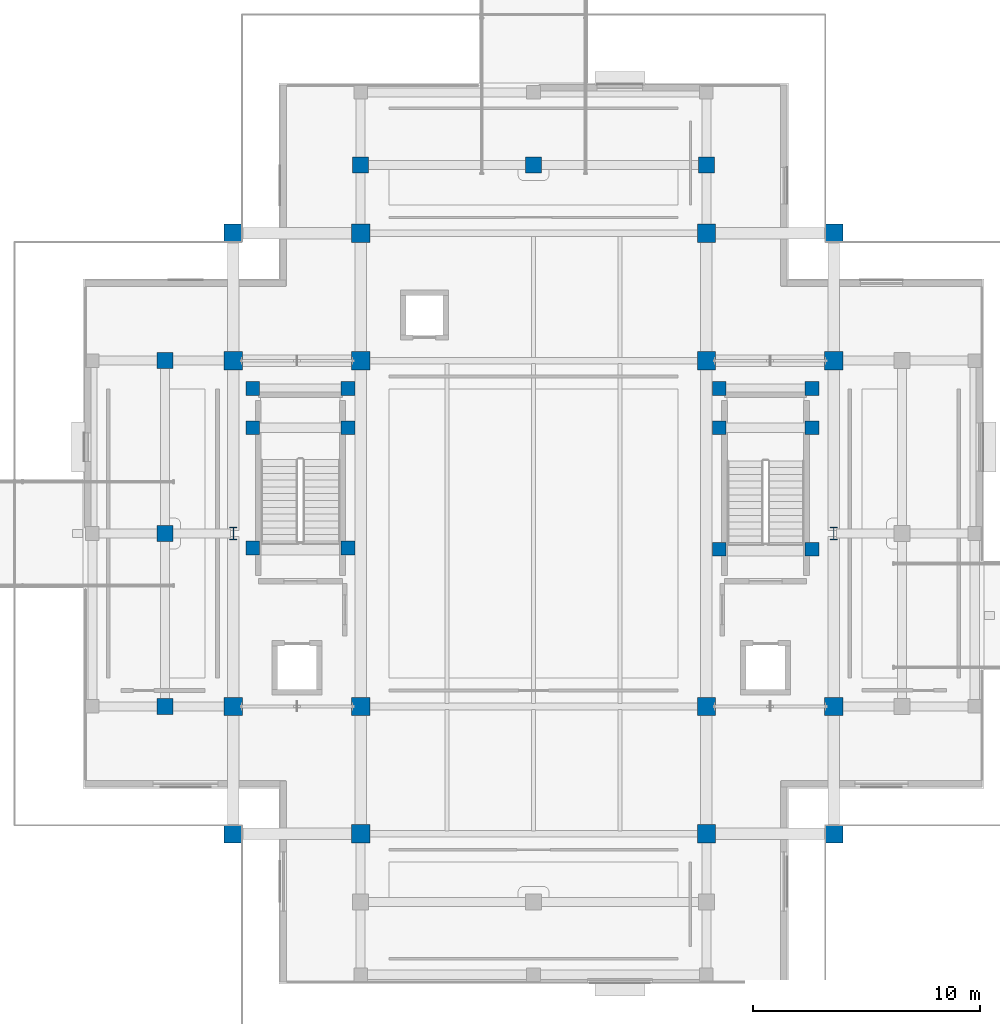
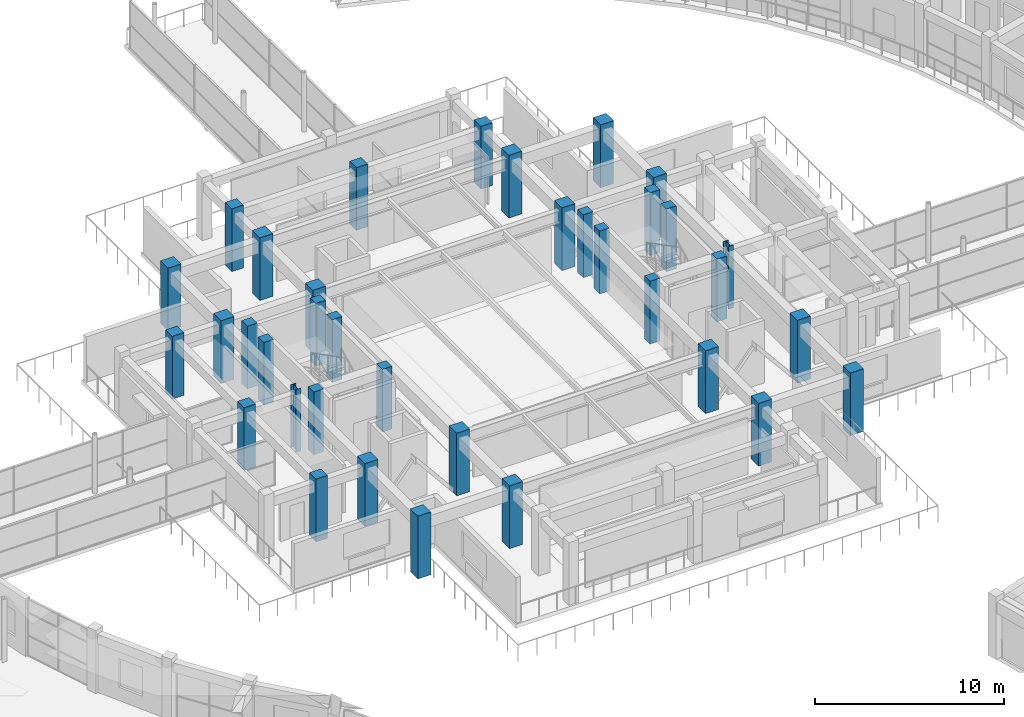
# One storey, part 4 of 72: 36 columns.
"""IFC4 building model written with IfcOpenShell, lengths in metres."""

from ifc_helpers import new_model, si_unit, direction, frame, origin, origin_2d, place, context, subcontext, project, spatial, rectangle, i_section, extrude, material, material_profile, profile_set, type_object, element, save


model = new_model("IFC4")

# Units and contexts
model_context = context("Model", 3, precision=1e-05, world=origin(), true_north=direction((0.0, 1.0)))
body_context = subcontext(model_context, "Body", "Model", "MODEL_VIEW")
ifc_project = project(units=[si_unit("LENGTHUNIT", "METRE"), si_unit("AREAUNIT", "SQUARE_METRE"), si_unit("VOLUMEUNIT", "CUBIC_METRE"), si_unit("PLANEANGLEUNIT", "RADIAN"), si_unit("MASSUNIT", "GRAM", prefix="KILO")], contexts=[model_context])

# Site, building, storey
site_placement = place(None, origin())
site = spatial("IfcSite", under=ifc_project, at=site_placement, CompositionType="ELEMENT")
building_placement = place(site_placement, origin())
building = spatial("IfcBuilding", under=site, at=building_placement, Name="Saryqyr Civic Hall", CompositionType="ELEMENT")
storey_placement = place(building_placement, frame((0.0, 0.0, 17.25)))
storey = spatial("IfcBuildingStorey", under=building, at=storey_placement, Name="L04", CompositionType="ELEMENT", Elevation=17.25)

# Columns
ifc_material_1 = material(Name="Steel S355", Category="steel")
ifc_material_profile_1 = material_profile(ifc_material_1, i_section(OverallWidth=0.300048828125, OverallDepth=0.550048828125, WebThickness=0.014892578125, FlangeThickness=0.029052734375, at=origin_2d()), Name="HEB 550")
ifc_profile_set_1 = profile_set([ifc_material_profile_1], Name="Steel S355")
column_type_1 = type_object("IfcColumnType", Name="STR-COL-HEB550-S355", PredefinedType="COLUMN", material=ifc_profile_set_1)
for number, where, z_axis, x_axis, name in (
    (1, (43.800048828125, 84.0, 0.0), (0.0, 0.0, 1.0), (1.0, 0.0, 0.0), "Column V1-GCOL-W-L04"),
    (2, (70.199951171875, 84.0, 0.0), (0.0, 0.0, 1.0), (1.0, 0.0, 0.0), "Column V1-GCOL-E-L04"),
):
    element("IfcColumn", number, at=place(storey_placement, frame(where, z_axis=z_axis, x_axis=x_axis)), inside=storey, type_object=column_type_1, Name=name, PredefinedType="COLUMN", context=body_context, shape_type="SweptSolid", body=[
        extrude(i_section(OverallWidth=0.300048828125, OverallDepth=0.550048828125, WebThickness=0.014892578125, FlangeThickness=0.029052734375, at=origin_2d()), origin(), (0.0, 0.0, 1.0), 4.050048828125),
    ])
ifc_material_2 = material(Name="Concrete C40/50", Category="concrete")
ifc_material_profile_2 = material_profile(ifc_material_2, rectangle(XDim=0.60009765625, YDim=0.60009765625, at=origin_2d()), Name="RC 600x600")
ifc_profile_set_2 = profile_set([ifc_material_profile_2], Name="Concrete C40/50")
column_type_2 = type_object("IfcColumnType", Name="STR-COL-RC600-C40", PredefinedType="COLUMN", material=ifc_profile_set_2)
for number, where, z_axis, x_axis, name in (
    (3, (48.840087890625, 83.364990234375, 0.0), (0.0, 0.0, 1.0), (1.0, 0.0, 0.0), "Column ST-1-SCOL-TRMA-L04"),
    (4, (44.659912109375, 83.364990234375, 0.0), (0.0, 0.0, 1.0), (1.0, 0.0, 0.0), "Column ST-1-SCOL-TRMB-L04"),
    (5, (48.840087890625, 88.64990234375, 0.0), (0.0, 0.0, 1.0), (1.0, 0.0, 0.0), "Column ST-1-SCOL-LND1A-L04"),
    (6, (44.659912109375, 88.64990234375, 0.0), (0.0, 0.0, 1.0), (1.0, 0.0, 0.0), "Column ST-1-SCOL-LND1B-L04"),
    (7, (48.840087890625, 90.3798828125, 0.0), (0.0, 0.0, 1.0), (1.0, 0.0, 0.0), "Column ST-1-SCOL-LND2A-L04"),
    (8, (44.659912109375, 90.3798828125, 0.0), (0.0, 0.0, 1.0), (1.0, 0.0, 0.0), "Column ST-1-SCOL-LND2B-L04"),
    (9, (69.239990234375, 83.31494140625, 0.0), (0.0, 0.0, 1.0), (1.0, 0.0, 0.0), "Column ST-2-SCOL-TRMA-L04"),
    (10, (65.159912109375, 83.31494140625, 0.0), (0.0, 0.0, 1.0), (1.0, 0.0, 0.0), "Column ST-2-SCOL-TRMB-L04"),
    (11, (69.239990234375, 88.64990234375, 0.0), (0.0, 0.0, 1.0), (1.0, 0.0, 0.0), "Column ST-2-SCOL-LND1A-L04"),
    (12, (65.159912109375, 88.64990234375, 0.0), (0.0, 0.0, 1.0), (1.0, 0.0, 0.0), "Column ST-2-SCOL-LND1B-L04"),
    (13, (69.239990234375, 90.3798828125, 0.0), (0.0, 0.0, 1.0), (1.0, 0.0, 0.0), "Column ST-2-SCOL-LND2A-L04"),
    (14, (65.159912109375, 90.3798828125, 0.0), (0.0, 0.0, 1.0), (1.0, 0.0, 0.0), "Column ST-2-SCOL-LND2B-L04"),
):
    element("IfcColumn", number, at=place(storey_placement, frame(where, z_axis=z_axis, x_axis=x_axis)), inside=storey, type_object=column_type_2, Name=name, PredefinedType="COLUMN", context=body_context, shape_type="SweptSolid", body=[
        extrude(rectangle(XDim=0.60009765625, YDim=0.60009765625, at=origin_2d()), origin(), (0.0, 0.0, 1.0), 4.050048828125),
    ])
ifc_material_profile_3 = material_profile(ifc_material_2, rectangle(XDim=0.699951171875, YDim=0.699951171875, at=origin_2d()), Name="RC 700x700")
ifc_profile_set_3 = profile_set([ifc_material_profile_3], Name="Concrete C40/50")
column_type_3 = type_object("IfcColumnType", Name="STR-COL-RC700-C40", PredefinedType="COLUMN", material=ifc_profile_set_3)
for number, where, z_axis, x_axis, name in (
    (15, (40.800048828125, 76.39990234375, 0.0), (0.0, 0.0, 1.0), (1.0, 0.0, 0.0), "Column V1-COL-S3P01-L04"),
    (16, (40.800048828125, 84.0, 0.0), (0.0, 0.0, 1.0), (1.0, 0.0, 0.0), "Column V1-COL-S3P02-L04"),
    (17, (40.800048828125, 91.60009765625, 0.0), (0.0, 0.0, 1.0), (1.0, 0.0, 0.0), "Column V1-COL-S3P03-L04"),
    (18, (49.39990234375, 100.199951171875, 0.0), (0.0, 0.0, 1.0), (1.0, 0.0, 0.0), "Column V1-COL-S3P10-L04"),
    (19, (57.0, 100.199951171875, 0.0), (0.0, 0.0, 1.0), (1.0, 0.0, 0.0), "Column V1-COL-S3P11-L04"),
    (20, (64.60009765625, 100.199951171875, 0.0), (0.0, 0.0, 1.0), (1.0, 0.0, 0.0), "Column V1-COL-S3P12-L04"),
):
    element("IfcColumn", number, at=place(storey_placement, frame(where, z_axis=z_axis, x_axis=x_axis)), inside=storey, type_object=column_type_3, Name=name, PredefinedType="COLUMN", context=body_context, shape_type="SweptSolid", body=[
        extrude(rectangle(XDim=0.699951171875, YDim=0.699951171875, at=origin_2d()), origin(), (0.0, 0.0, 1.0), 4.050048828125),
    ])
ifc_material_profile_4 = material_profile(ifc_material_2, rectangle(XDim=0.800048828125, YDim=0.800048828125, at=origin_2d()), Name="RC 800x800")
ifc_profile_set_4 = profile_set([ifc_material_profile_4], Name="Concrete C40/50")
column_type_4 = type_object("IfcColumnType", Name="STR-COL-RC800-C40", PredefinedType="COLUMN", material=ifc_profile_set_4)
for number, where, z_axis, x_axis, name in (
    (21, (43.800048828125, 70.800048828125, 0.0), (0.0, 0.0, 1.0), (1.0, 0.0, 0.0), "Column V1-COL-C11-L04"),
    (22, (43.800048828125, 76.39990234375, 0.0), (0.0, 0.0, 1.0), (1.0, 0.0, 0.0), "Column V1-COL-C12-L04"),
    (23, (43.800048828125, 91.60009765625, 0.0), (0.0, 0.0, 1.0), (1.0, 0.0, 0.0), "Column V1-COL-C13-L04"),
    (24, (43.800048828125, 97.199951171875, 0.0), (0.0, 0.0, 1.0), (1.0, 0.0, 0.0), "Column V1-COL-C14-L04"),
    (25, (49.39990234375, 70.800048828125, 0.0), (0.0, 0.0, 1.0), (1.0, 0.0, 0.0), "Column V1-COL-C21-L04"),
    (26, (49.39990234375, 76.39990234375, 0.0), (0.0, 0.0, 1.0), (1.0, 0.0, 0.0), "Column V1-COL-C22-L04"),
    (27, (49.39990234375, 91.60009765625, 0.0), (0.0, 0.0, 1.0), (1.0, 0.0, 0.0), "Column V1-COL-C23-L04"),
    (28, (49.39990234375, 97.199951171875, 0.0), (0.0, 0.0, 1.0), (1.0, 0.0, 0.0), "Column V1-COL-C24-L04"),
    (29, (64.60009765625, 70.800048828125, 0.0), (0.0, 0.0, 1.0), (1.0, 0.0, 0.0), "Column V1-COL-C31-L04"),
    (30, (64.60009765625, 76.39990234375, 0.0), (0.0, 0.0, 1.0), (1.0, 0.0, 0.0), "Column V1-COL-C32-L04"),
    (31, (64.60009765625, 91.60009765625, 0.0), (0.0, 0.0, 1.0), (1.0, 0.0, 0.0), "Column V1-COL-C33-L04"),
    (32, (64.60009765625, 97.199951171875, 0.0), (0.0, 0.0, 1.0), (1.0, 0.0, 0.0), "Column V1-COL-C34-L04"),
    (33, (70.199951171875, 70.800048828125, 0.0), (0.0, 0.0, 1.0), (1.0, 0.0, 0.0), "Column V1-COL-C41-L04"),
    (34, (70.199951171875, 76.39990234375, 0.0), (0.0, 0.0, 1.0), (1.0, 0.0, 0.0), "Column V1-COL-C42-L04"),
    (35, (70.199951171875, 91.60009765625, 0.0), (0.0, 0.0, 1.0), (1.0, 0.0, 0.0), "Column V1-COL-C43-L04"),
    (36, (70.199951171875, 97.199951171875, 0.0), (0.0, 0.0, 1.0), (1.0, 0.0, 0.0), "Column V1-COL-C44-L04"),
):
    element("IfcColumn", number, at=place(storey_placement, frame(where, z_axis=z_axis, x_axis=x_axis)), inside=storey, type_object=column_type_4, Name=name, PredefinedType="COLUMN", context=body_context, shape_type="SweptSolid", body=[
        extrude(rectangle(XDim=0.800048828125, YDim=0.800048828125, at=origin_2d()), origin(), (0.0, 0.0, 1.0), 4.050048828125),
    ])

save(model, "model.ifc")
